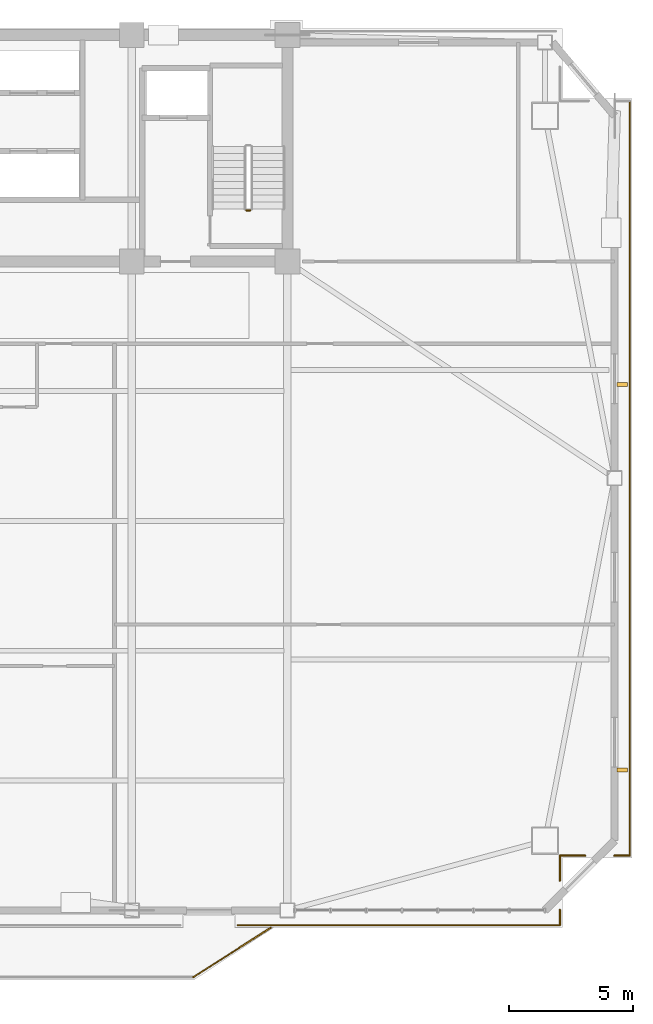
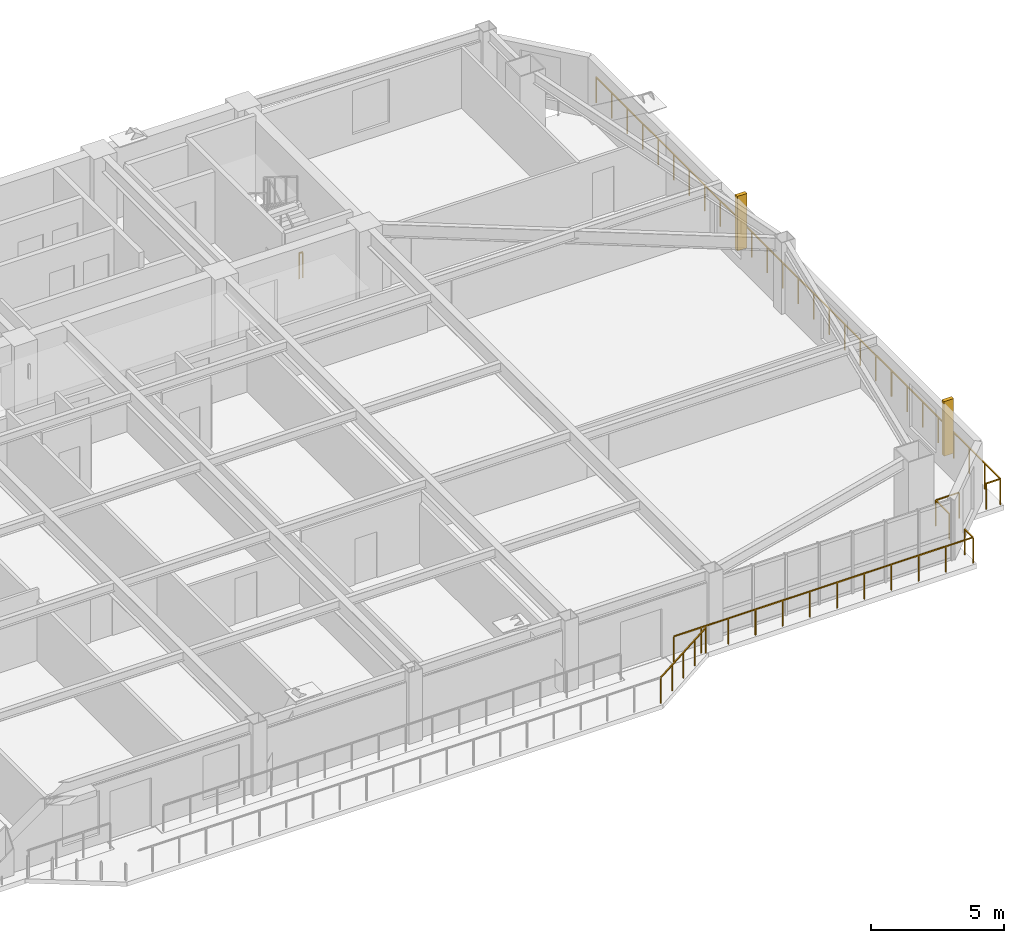
# One storey, part 15 of 17: 8 railings, 2 shading devices.
"""IFC4 building model written with IfcOpenShell, lengths in metres."""

from ifc_helpers import new_model, si_unit, direction, frame, origin, origin_2d, place, context, subcontext, project, spatial, rectangle, extrude, source, transform, mapped, material, type_object, element, save


model = new_model("IFC4")

# Units and contexts
model_context = context("Model", 3, precision=1e-05, world=origin(), true_north=direction((0.0, 1.0)))
body_context = subcontext(model_context, "Body", "Model", "MODEL_VIEW")
ifc_project = project(units=[si_unit("LENGTHUNIT", "METRE"), si_unit("AREAUNIT", "SQUARE_METRE"), si_unit("VOLUMEUNIT", "CUBIC_METRE"), si_unit("PLANEANGLEUNIT", "RADIAN"), si_unit("MASSUNIT", "GRAM", prefix="KILO")], contexts=[model_context])

# Site, building, storey
site_placement = place(None, origin())
site = spatial("IfcSite", under=ifc_project, at=site_placement, CompositionType="ELEMENT")
building_placement = place(site_placement, origin())
building = spatial("IfcBuilding", under=site, at=building_placement, Name="Giltprow Tower", CompositionType="ELEMENT")
storey_placement = place(building_placement, frame((0.0, 0.0, 202.699951171875)))
storey = spatial("IfcBuildingStorey", under=building, at=storey_placement, Name="L51", CompositionType="ELEMENT", Elevation=202.699951171875)

# Railings
ifc_material = material(Name="Anodized bronze", Category="metal")
railing_type_1 = type_object("IfcRailingType", Name="RAIL-BALC-GUARD-1200", PredefinedType="BALUSTRADE", material=ifc_material)
railing_1_placement = place(storey_placement, frame((46.780029296875, 8.7060546875, 0.0)))
element("IfcRailing", 1, at=railing_1_placement, inside=storey, type_object=railing_type_1, Name="L51 Waterfront Balcony Balustrade Seg 3", PredefinedType="BALUSTRADE", context=body_context, shape_type="SweptSolid", body=[
    extrude(rectangle(XDim=0.048095703125, YDim=0.048095703125, at=origin_2d()), frame((0.0, 0.0, 1.17578125), z_axis=(0.842755646126, 0.538296313309, 0.0), x_axis=(-0.538296313309, 0.842755646126, 0.0)), (0.0, 0.0, 1.0), 3.67822265625),
    extrude(rectangle(XDim=0.0419921875, YDim=0.0419921875, at=origin_2d()), origin(), (0.0, 0.0, 1.0), 1.15185546875),
    extrude(rectangle(XDim=0.0419921875, YDim=0.0419921875, at=origin_2d()), frame((0.77490234375, 0.4951171875, 0.0)), (0.0, 0.0, 1.0), 1.15185546875),
    extrude(rectangle(XDim=0.0419921875, YDim=0.0419921875, at=origin_2d()), frame((1.5498046875, 0.989990234375, 0.0)), (0.0, 0.0, 1.0), 1.15185546875),
    extrude(rectangle(XDim=0.0419921875, YDim=0.0419921875, at=origin_2d()), frame((2.324951171875, 1.48486328125, 0.0)), (0.0, 0.0, 1.0), 1.15185546875),
    extrude(rectangle(XDim=0.0419921875, YDim=0.0419921875, at=origin_2d()), frame((3.099853515625, 1.97998046875, 0.0)), (0.0, 0.0, 1.0), 1.15185546875),
])
railing_2_placement = place(storey_placement, frame((64.298095703125, 43.89990234375, 0.0)))
element("IfcRailing", 2, at=railing_2_placement, inside=storey, type_object=railing_type_1, Name="L51 Corner Apron Edge Balustrade 1", PredefinedType="BALUSTRADE", context=body_context, shape_type="SweptSolid", body=[
    extrude(rectangle(XDim=0.048095703125, YDim=0.048095703125, at=origin_2d()), frame((0.0, 0.0, 1.17578125), z_axis=(0.0, -1.0, 0.0), x_axis=(1.0, 0.0, 0.0)), (0.0, 0.0, 1.0), 30.31396484375),
    extrude(rectangle(XDim=0.0419921875, YDim=0.0419921875, at=origin_2d()), origin(), (0.0, 0.0, 1.0), 1.15185546875),
    extrude(rectangle(XDim=0.0419921875, YDim=0.0419921875, at=origin_2d()), frame((0.0, -1.166015625, 0.0)), (0.0, 0.0, 1.0), 1.15185546875),
    extrude(rectangle(XDim=0.0419921875, YDim=0.0419921875, at=origin_2d()), frame((0.0, -2.331787109375, 0.0)), (0.0, 0.0, 1.0), 1.15185546875),
    extrude(rectangle(XDim=0.0419921875, YDim=0.0419921875, at=origin_2d()), frame((0.0, -3.497802734375, 0.0)), (0.0, 0.0, 1.0), 1.15185546875),
    extrude(rectangle(XDim=0.0419921875, YDim=0.0419921875, at=origin_2d()), frame((0.0, -4.66357421875, 0.0)), (0.0, 0.0, 1.0), 1.15185546875),
    extrude(rectangle(XDim=0.0419921875, YDim=0.0419921875, at=origin_2d()), frame((0.0, -5.82958984375, 0.0)), (0.0, 0.0, 1.0), 1.15185546875),
    extrude(rectangle(XDim=0.0419921875, YDim=0.0419921875, at=origin_2d()), frame((0.0, -6.99560546875, 0.0)), (0.0, 0.0, 1.0), 1.15185546875),
    extrude(rectangle(XDim=0.0419921875, YDim=0.0419921875, at=origin_2d()), frame((0.0, -8.161376953125, 0.0)), (0.0, 0.0, 1.0), 1.15185546875),
    extrude(rectangle(XDim=0.0419921875, YDim=0.0419921875, at=origin_2d()), frame((0.0, -9.327392578125, 0.0)), (0.0, 0.0, 1.0), 1.15185546875),
    extrude(rectangle(XDim=0.0419921875, YDim=0.0419921875, at=origin_2d()), frame((0.0, -10.493408203125, 0.0)), (0.0, 0.0, 1.0), 1.15185546875),
    extrude(rectangle(XDim=0.0419921875, YDim=0.0419921875, at=origin_2d()), frame((0.0, -11.6591796875, 0.0)), (0.0, 0.0, 1.0), 1.15185546875),
    extrude(rectangle(XDim=0.0419921875, YDim=0.0419921875, at=origin_2d()), frame((0.0, -12.8251953125, 0.0)), (0.0, 0.0, 1.0), 1.15185546875),
    extrude(rectangle(XDim=0.0419921875, YDim=0.0419921875, at=origin_2d()), frame((0.0, -13.990966796875, 0.0)), (0.0, 0.0, 1.0), 1.15185546875),
    extrude(rectangle(XDim=0.0419921875, YDim=0.0419921875, at=origin_2d()), frame((0.0, -15.156982421875, 0.0)), (0.0, 0.0, 1.0), 1.15185546875),
    extrude(rectangle(XDim=0.0419921875, YDim=0.0419921875, at=origin_2d()), frame((0.0, -16.322998046875, 0.0)), (0.0, 0.0, 1.0), 1.15185546875),
    extrude(rectangle(XDim=0.0419921875, YDim=0.0419921875, at=origin_2d()), frame((0.0, -17.48876953125, 0.0)), (0.0, 0.0, 1.0), 1.15185546875),
    extrude(rectangle(XDim=0.0419921875, YDim=0.0419921875, at=origin_2d()), frame((0.0, -18.65478515625, 0.0)), (0.0, 0.0, 1.0), 1.15185546875),
    extrude(rectangle(XDim=0.0419921875, YDim=0.0419921875, at=origin_2d()), frame((0.0, -19.820556640625, 0.0)), (0.0, 0.0, 1.0), 1.15185546875),
    extrude(rectangle(XDim=0.0419921875, YDim=0.0419921875, at=origin_2d()), frame((0.0, -20.986572265625, 0.0)), (0.0, 0.0, 1.0), 1.15185546875),
    extrude(rectangle(XDim=0.0419921875, YDim=0.0419921875, at=origin_2d()), frame((0.0, -22.152587890625, 0.0)), (0.0, 0.0, 1.0), 1.15185546875),
    extrude(rectangle(XDim=0.0419921875, YDim=0.0419921875, at=origin_2d()), frame((0.0, -23.318359375, 0.0)), (0.0, 0.0, 1.0), 1.15185546875),
    extrude(rectangle(XDim=0.0419921875, YDim=0.0419921875, at=origin_2d()), frame((0.0, -24.484375, 0.0)), (0.0, 0.0, 1.0), 1.15185546875),
    extrude(rectangle(XDim=0.0419921875, YDim=0.0419921875, at=origin_2d()), frame((0.0, -25.650390625, 0.0)), (0.0, 0.0, 1.0), 1.15185546875),
    extrude(rectangle(XDim=0.0419921875, YDim=0.0419921875, at=origin_2d()), frame((0.0, -26.816162109375, 0.0)), (0.0, 0.0, 1.0), 1.15185546875),
    extrude(rectangle(XDim=0.0419921875, YDim=0.0419921875, at=origin_2d()), frame((0.0, -27.982177734375, 0.0)), (0.0, 0.0, 1.0), 1.15185546875),
    extrude(rectangle(XDim=0.0419921875, YDim=0.0419921875, at=origin_2d()), frame((0.0, -29.14794921875, 0.0)), (0.0, 0.0, 1.0), 1.15185546875),
    extrude(rectangle(XDim=0.0419921875, YDim=0.0419921875, at=origin_2d()), frame((0.0, -30.31396484375, 0.0)), (0.0, 0.0, 1.0), 1.15185546875),
])
railing_3_placement = place(storey_placement, frame((64.298095703125, 13.5859375, 0.0)))
element("IfcRailing", 3, at=railing_3_placement, inside=storey, type_object=railing_type_1, Name="L51 Corner Apron Edge Balustrade 2", PredefinedType="BALUSTRADE", context=body_context, shape_type="SweptSolid", body=[
    extrude(rectangle(XDim=0.048095703125, YDim=0.048095703125, at=origin_2d()), frame((0.0, 0.0, 1.17578125), z_axis=(-1.0, 0.0, 0.0), x_axis=(0.0, -1.0, 0.0)), (0.0, 0.0, 1.0), 0.6201171875),
    extrude(rectangle(XDim=0.0419921875, YDim=0.0419921875, at=origin_2d()), origin(), (0.0, 0.0, 1.0), 1.15185546875),
    extrude(rectangle(XDim=0.0419921875, YDim=0.0419921875, at=origin_2d()), frame((-0.6201171875, 0.0, 0.0)), (0.0, 0.0, 1.0), 1.15185546875),
])
railing_4_placement = place(storey_placement, frame((62.51806640625, 13.5859375, 0.0)))
element("IfcRailing", 4, at=railing_4_placement, inside=storey, type_object=railing_type_1, Name="L51 Corner Apron Edge Balustrade 3", PredefinedType="BALUSTRADE", context=body_context, shape_type="SweptSolid", body=[
    extrude(rectangle(XDim=0.048095703125, YDim=0.048095703125, at=origin_2d()), frame((0.0, 0.0, 1.17578125), z_axis=(-1.0, 0.0, 0.0), x_axis=(0.0, -1.0, 0.0)), (0.0, 0.0, 1.0), 1.02001953125),
    extrude(rectangle(XDim=0.0419921875, YDim=0.0419921875, at=origin_2d()), origin(), (0.0, 0.0, 1.0), 1.15185546875),
    extrude(rectangle(XDim=0.0419921875, YDim=0.0419921875, at=origin_2d()), frame((-1.02001953125, 0.0, 0.0)), (0.0, 0.0, 1.0), 1.15185546875),
])
railing_5_placement = place(storey_placement, frame((61.498046875, 13.5859375, 0.0)))
element("IfcRailing", 5, at=railing_5_placement, inside=storey, type_object=railing_type_1, Name="L51 Corner Apron Edge Balustrade 4", PredefinedType="BALUSTRADE", context=body_context, shape_type="SweptSolid", body=[
    extrude(rectangle(XDim=0.048095703125, YDim=0.048095703125, at=origin_2d()), frame((0.0, 0.0, 1.17578125), z_axis=(0.0, -1.0, 0.0), x_axis=(1.0, 0.0, 0.0)), (0.0, 0.0, 1.0), 1.02001953125),
    extrude(rectangle(XDim=0.0419921875, YDim=0.0419921875, at=origin_2d()), origin(), (0.0, 0.0, 1.0), 1.15185546875),
    extrude(rectangle(XDim=0.0419921875, YDim=0.0419921875, at=origin_2d()), frame((0.0, -1.02001953125, 0.0)), (0.0, 0.0, 1.0), 1.15185546875),
])
railing_6_placement = place(storey_placement, frame((61.498046875, 11.406005859375, 0.0)))
element("IfcRailing", 6, at=railing_6_placement, inside=storey, type_object=railing_type_1, Name="L51 Corner Apron Edge Balustrade 5", PredefinedType="BALUSTRADE", context=body_context, shape_type="SweptSolid", body=[
    extrude(rectangle(XDim=0.048095703125, YDim=0.048095703125, at=origin_2d()), frame((0.0, 0.0, 1.17578125), z_axis=(0.0, -1.0, 0.0), x_axis=(1.0, 0.0, 0.0)), (0.0, 0.0, 1.0), 0.6201171875),
    extrude(rectangle(XDim=0.0419921875, YDim=0.0419921875, at=origin_2d()), origin(), (0.0, 0.0, 1.0), 1.15185546875),
    extrude(rectangle(XDim=0.0419921875, YDim=0.0419921875, at=origin_2d()), frame((0.0, -0.6201171875, 0.0)), (0.0, 0.0, 1.0), 1.15185546875),
])
railing_7_placement = place(storey_placement, frame((61.498046875, 10.785888671875, 0.0)))
element("IfcRailing", 7, at=railing_7_placement, inside=storey, type_object=railing_type_1, Name="L51 Corner Apron Edge Balustrade 6", PredefinedType="BALUSTRADE", context=body_context, shape_type="SweptSolid", body=[
    extrude(rectangle(XDim=0.048095703125, YDim=0.048095703125, at=origin_2d()), frame((0.0, 0.0, 1.17578125), z_axis=(-1.0, 0.0, 0.0), x_axis=(0.0, -1.0, 0.0)), (0.0, 0.0, 1.0), 12.947998046875),
    extrude(rectangle(XDim=0.0419921875, YDim=0.0419921875, at=origin_2d()), origin(), (0.0, 0.0, 1.0), 1.15185546875),
    extrude(rectangle(XDim=0.0419921875, YDim=0.0419921875, at=origin_2d()), frame((-1.177001953125, 0.0, 0.0)), (0.0, 0.0, 1.0), 1.15185546875),
    extrude(rectangle(XDim=0.0419921875, YDim=0.0419921875, at=origin_2d()), frame((-2.354248046875, 0.0, 0.0)), (0.0, 0.0, 1.0), 1.15185546875),
    extrude(rectangle(XDim=0.0419921875, YDim=0.0419921875, at=origin_2d()), frame((-3.53125, 0.0, 0.0)), (0.0, 0.0, 1.0), 1.15185546875),
    extrude(rectangle(XDim=0.0419921875, YDim=0.0419921875, at=origin_2d()), frame((-4.708251953125, 0.0, 0.0)), (0.0, 0.0, 1.0), 1.15185546875),
    extrude(rectangle(XDim=0.0419921875, YDim=0.0419921875, at=origin_2d()), frame((-5.885498046875, 0.0, 0.0)), (0.0, 0.0, 1.0), 1.15185546875),
    extrude(rectangle(XDim=0.0419921875, YDim=0.0419921875, at=origin_2d()), frame((-7.0625, 0.0, 0.0)), (0.0, 0.0, 1.0), 1.15185546875),
    extrude(rectangle(XDim=0.0419921875, YDim=0.0419921875, at=origin_2d()), frame((-8.23974609375, 0.0, 0.0)), (0.0, 0.0, 1.0), 1.15185546875),
    extrude(rectangle(XDim=0.0419921875, YDim=0.0419921875, at=origin_2d()), frame((-9.416748046875, 0.0, 0.0)), (0.0, 0.0, 1.0), 1.15185546875),
    extrude(rectangle(XDim=0.0419921875, YDim=0.0419921875, at=origin_2d()), frame((-10.59375, 0.0, 0.0)), (0.0, 0.0, 1.0), 1.15185546875),
    extrude(rectangle(XDim=0.0419921875, YDim=0.0419921875, at=origin_2d()), frame((-11.77099609375, 0.0, 0.0)), (0.0, 0.0, 1.0), 1.15185546875),
    extrude(rectangle(XDim=0.0419921875, YDim=0.0419921875, at=origin_2d()), frame((-12.947998046875, 0.0, 0.0)), (0.0, 0.0, 1.0), 1.15185546875),
])
railing_type_2 = type_object("IfcRailingType", Name="RAIL-STAIR-GUARD-1200", PredefinedType="GUARDRAIL", material=ifc_material)
railing_8_placement = place(storey_placement, frame((49.06005859375, 39.5, 0.0)))
element("IfcRailing", 8, at=railing_8_placement, inside=storey, type_object=railing_type_2, Name="L51 ST-3 stair guard 4", PredefinedType="GUARDRAIL", context=body_context, shape_type="SweptSolid", body=[
    extrude(rectangle(XDim=0.048095703125, YDim=0.048095703125, at=origin_2d()), frame((0.0, 0.0, 1.17578125), z_axis=(-1.0, 0.0, 0.0), x_axis=(0.0, -1.0, 0.0)), (0.0, 0.0, 1.0), 0.16015625),
    extrude(rectangle(XDim=0.0419921875, YDim=0.0419921875, at=origin_2d()), origin(), (0.0, 0.0, 1.0), 1.15185546875),
    extrude(rectangle(XDim=0.0419921875, YDim=0.0419921875, at=origin_2d()), frame((-0.16015625, 0.0, 0.0)), (0.0, 0.0, 1.0), 1.15185546875),
])

# Shading devices
shading_device_type = type_object("IfcShadingDeviceType", Name="SHD-FIN-420", PredefinedType="USERDEFINED", material=ifc_material)
shared_shape = source(origin(), body_context, "Body", "SweptSolid", [
    extrude(rectangle(XDim=0.419921875, YDim=0.159912109375, at=origin_2d()), origin(), (0.0, 0.0, 1.0), 2.5),
])
for number, where, z_axis, x_axis, name in (
    (9, (63.998046875, 17.012939453125, 0.35009765625), (0.0, 0.0, 1.0), (1.0, 0.0, 0.0), "L51 E Bronze Vertical Fin 1-1"),
    (10, (63.998046875, 32.5029296875, 0.35009765625), (0.0, 0.0, 1.0), (1.0, 0.0, 0.0), "L51 E Bronze Vertical Fin 2-1"),
):
    element("IfcShadingDevice", number, at=place(storey_placement, frame(where, z_axis=z_axis, x_axis=x_axis)), inside=storey, type_object=shading_device_type, Name=name, ObjectType="FIN", PredefinedType="USERDEFINED", context=body_context, shape_type="MappedRepresentation", body=[
        mapped(shared_shape, transform((0.0, 0.0, 0.0), x_axis=(1.0, 0.0, 0.0), y_axis=(0.0, 1.0, 0.0), z_axis=(0.0, 0.0, 1.0), scale=1.0)),
    ])

save(model, "model.ifc")
